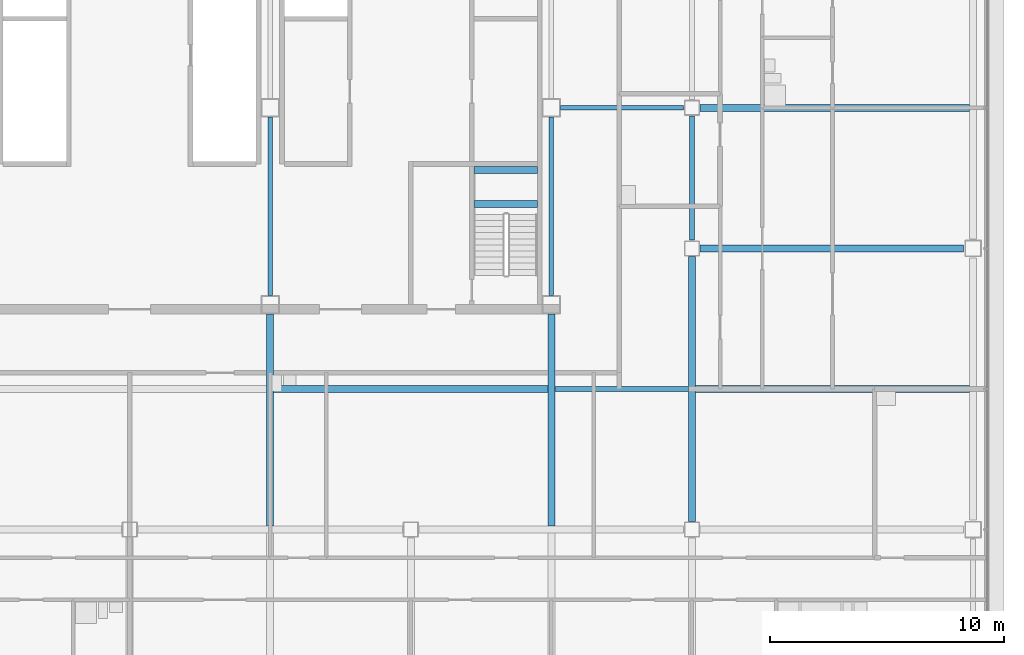
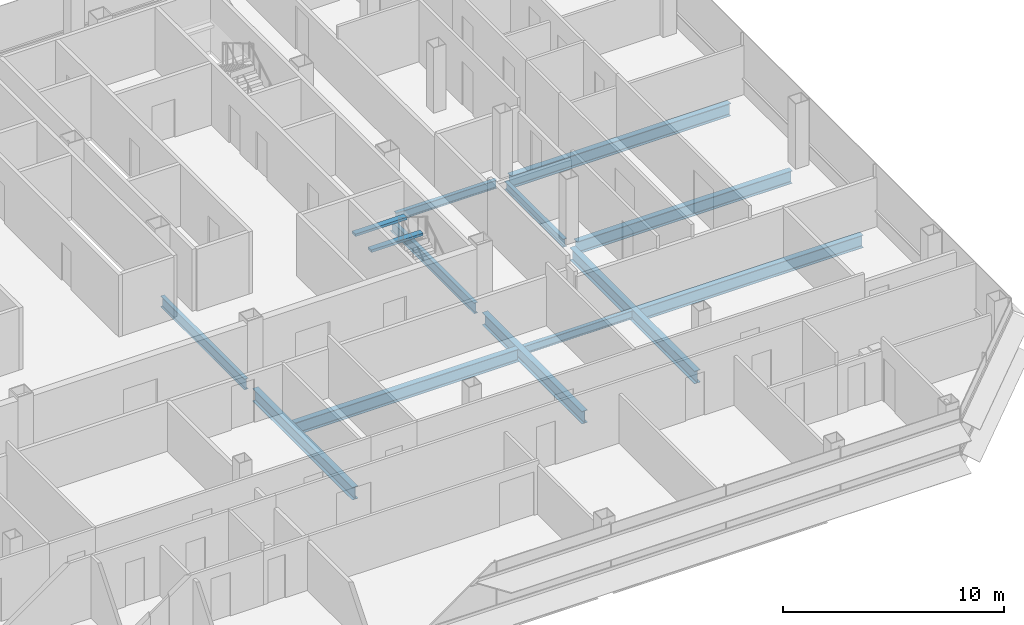
# One storey, part 10 of 26: 14 beams.
"""IFC4 building model written with IfcOpenShell, lengths in metres."""

import ifcopenshell
import ifcopenshell.guid

model = None  # the IFC model being written
_history = None  # IfcOwnerHistory: only IFC2X3 demands one
_inside = {}  # id of a spatial element -> (the spatial element, [elements in it])
_under = {}  # id of a project, library or spatial element -> (it, [spatial elements below it])
_declared = {}  # id of a project -> (the project, [libraries it declares])
_typed = {}  # id of a type object -> (the type object, [elements of that type])
_made_of = {}  # id of a material, layer set ... -> (it, [elements and type objects made of it])


def new_model(schema):
    """Start an empty IFC model of exactly this schema.

    Asked for "IFC4X3", IfcOpenShell would pick the latest addendum, in which some entities
    have other attributes; the version numbers below select the first issue.
    IFC2X3 requires an IfcOwnerHistory on every rooted entity: one is made here for all.
    """
    global model, _history
    if schema == "IFC4X3":
        model = ifcopenshell.file(schema_version=(4, 3, 0, 0))
    else:
        model = ifcopenshell.file(schema=schema)
    _inside.clear()
    _under.clear()
    _declared.clear()
    _typed.clear()
    _made_of.clear()
    _history = None
    if model.schema == "IFC2X3":
        org = make("IfcOrganization", Name="unknown")
        user = make(
            "IfcPersonAndOrganization",
            ThePerson=make("IfcPerson", FamilyName="unknown"),
            TheOrganization=org,
        )
        app = make(
            "IfcApplication",
            ApplicationDeveloper=org,
            Version="unknown",
            ApplicationFullName="unknown",
            ApplicationIdentifier="unknown",
        )
        _history = make(
            "IfcOwnerHistory",
            OwningUser=user,
            OwningApplication=app,
            ChangeAction="ADDED",
            CreationDate=0,
        )
    return model


def make(cls, **values):
    """One entity of the class cls with the attributes given. An attribute that is None is left unset."""
    return model.create_entity(
        cls, **{name: value for name, value in values.items() if value is not None}
    )


def rooted(cls, **values):
    """An entity with a GlobalId (a new one), such as an element, a storey or a relation."""
    return make(cls, GlobalId=ifcopenshell.guid.new(), OwnerHistory=_history, **values)


def si_unit(unit_type, name, prefix=None):
    """IfcSIUnit, for example si_unit("LENGTHUNIT", "METRE", prefix="MILLI")."""
    return make("IfcSIUnit", UnitType=unit_type, Prefix=prefix, Name=name)


def assignment(units):
    """IfcUnitAssignment: the units of a project."""
    return None if units is None else make("IfcUnitAssignment", Units=units)


def point(xyz):
    """IfcCartesianPoint."""
    return None if xyz is None else make("IfcCartesianPoint", Coordinates=xyz)


def direction(xyz):
    """IfcDirection."""
    return None if xyz is None else make("IfcDirection", DirectionRatios=xyz)


def frame(location, z_axis=None, x_axis=None):
    """IfcAxis2Placement3D, a coordinate frame: its origin and axes. An axis left out is left unset."""
    return make(
        "IfcAxis2Placement3D",
        Location=point(location),
        Axis=direction(z_axis),
        RefDirection=direction(x_axis),
    )


def frame_2d(location, x_axis=None):
    """IfcAxis2Placement2D, a coordinate frame in the plane: its origin and x axis."""
    return make(
        "IfcAxis2Placement2D", Location=point(location), RefDirection=direction(x_axis)
    )


def origin():
    """The frame at (0, 0, 0) with its axes left unset."""
    return frame((0.0, 0.0, 0.0))


def origin_2d():
    """The frame at (0, 0) in the plane with its x axis left unset."""
    return frame_2d((0.0, 0.0))


def place(relative_to, where):
    """IfcLocalPlacement: puts the frame where relative to a parent placement (None: the world)."""
    return make(
        "IfcLocalPlacement", PlacementRelTo=relative_to, RelativePlacement=where
    )


def context(
    kind, dimensions, precision=None, world=None, true_north=None, identifier=None
):
    """IfcGeometricRepresentationContext, for example the 3D "Model" context."""
    return make(
        "IfcGeometricRepresentationContext",
        ContextIdentifier=identifier,
        ContextType=kind,
        CoordinateSpaceDimension=dimensions,
        Precision=precision,
        WorldCoordinateSystem=world,
        TrueNorth=true_north,
    )


def subcontext(parent, identifier, kind, view, scale=None):
    """IfcGeometricRepresentationSubContext, for example "Body" below "Model"."""
    return make(
        "IfcGeometricRepresentationSubContext",
        ContextIdentifier=identifier,
        ContextType=kind,
        ParentContext=parent,
        TargetScale=scale,
        TargetView=view,
    )


def project(units=None, contexts=None):
    """IfcProject with its units and contexts."""
    return rooted(
        "IfcProject",
        Name="project",
        RepresentationContexts=contexts,
        UnitsInContext=assignment(units),
    )


def spatial(cls, under=None, at=None, **own):
    """A site, building, storey or space (cls), placed at a placement, below another one or the project."""
    s = rooted(cls, ObjectPlacement=at, **own)
    if under is not None:
        _under.setdefault(under.id(), (under, []))[1].append(s)
    return s


def profile(cls, at=None, kind="AREA", **sizes):
    """A parametric profile (cls). Its sizes go by their IFC names, for example OverallWidth=200.0."""
    return make(cls, ProfileType=kind, Position=at, **sizes)


def rectangle(**sizes):
    """IfcRectangleProfileDef."""
    return profile("IfcRectangleProfileDef", **sizes)


def i_section(**sizes):
    """IfcIShapeProfileDef."""
    return profile("IfcIShapeProfileDef", **sizes)


def extrude(swept, where, along, depth):
    """IfcExtrudedAreaSolid: the profile swept, set in the frame where, extruded along a direction by depth."""
    return make(
        "IfcExtrudedAreaSolid",
        SweptArea=swept,
        Position=where,
        ExtrudedDirection=direction(along),
        Depth=depth,
    )


def shape(context_of_items, identifier, shape_type, items):
    """IfcShapeRepresentation: the items that make up one representation, for example the "Body"."""
    return make(
        "IfcShapeRepresentation",
        ContextOfItems=context_of_items,
        RepresentationIdentifier=identifier,
        RepresentationType=shape_type,
        Items=items,
    )


def material(Name=None, Category=None):
    """IfcMaterial."""
    return make("IfcMaterial", Name=Name, Category=Category)


def material_profile(
    of_material, cross_section, Name=None, Category=None, Priority=None
):
    """IfcMaterialProfile: a cross section and its material."""
    return make(
        "IfcMaterialProfile",
        Name=Name,
        Material=of_material,
        Profile=cross_section,
        Priority=Priority,
        Category=Category,
    )


def profile_set(profiles, Name=None, composite=None):
    """IfcMaterialProfileSet."""
    return make(
        "IfcMaterialProfileSet",
        Name=Name,
        MaterialProfiles=profiles,
        CompositeProfile=composite,
    )


def made_of(thing, what):
    """Note that an element or type object is made of a material, layer set ...; save() writes the relation."""
    if what is not None:
        _made_of.setdefault(what.id(), (what, []))[1].append(thing)
    return thing


def type_object(cls, material=None, **own):
    """A type object (cls), such as IfcWallType, which elements share."""
    return made_of(rooted(cls, **own), material)


def element(
    cls,
    number,
    at=None,
    inside=None,
    cuts=None,
    type_object=None,
    material=None,
    context=None,
    identifier="Body",
    shape_type=None,
    held_by="IfcProductDefinitionShape",
    body=None,
    shapes=None,
    **own,
):
    """One element of the class cls, such as IfcWall. Its Tag is "e" and its number.

    at: its placement. inside: the storey or other place that contains it. cuts: it is an
    opening in that element (IfcRelVoidsElement). A single representation is given by context,
    identifier, shape_type and body (its items); several are given by shapes. held_by: the class
    of the entity that holds the representations. save() writes the other relations.
    """
    e = rooted(cls, Tag="e%d" % number, ObjectPlacement=at, **own)
    if body is not None:
        shapes = [shape(context, identifier, shape_type, body)]
    if shapes is not None:
        e.Representation = make(held_by, Representations=shapes)
    if inside is not None:
        _inside.setdefault(inside.id(), (inside, []))[1].append(e)
    if cuts is not None:
        rooted(
            "IfcRelVoidsElement", RelatingBuildingElement=cuts, RelatedOpeningElement=e
        )
    if type_object is not None:
        _typed.setdefault(type_object.id(), (type_object, []))[1].append(e)
    return made_of(e, material)


def aggregate(whole, parts):
    """IfcRelAggregates: a whole, such as a stair, and the parts it consists of."""
    return rooted("IfcRelAggregates", RelatingObject=whole, RelatedObjects=parts)


def save(model, path):
    """Write the relations noted so far, then the file.

    IfcRelAggregates (storeys below a building ...), IfcRelContainedInSpatialStructure (elements
    in a storey), IfcRelDefinesByType, IfcRelAssociatesMaterial and IfcRelDeclares: one each for
    every whole, place, type object, material and project.
    """
    for whole, parts in _under.values():
        aggregate(whole, parts)
    for where, things in _inside.values():
        rooted(
            "IfcRelContainedInSpatialStructure",
            RelatedElements=things,
            RelatingStructure=where,
        )
    for kind, things in _typed.values():
        rooted("IfcRelDefinesByType", RelatedObjects=things, RelatingType=kind)
    for what, things in _made_of.values():
        rooted("IfcRelAssociatesMaterial", RelatedObjects=things, RelatingMaterial=what)
    for by, libraries in _declared.values():
        rooted("IfcRelDeclares", RelatingContext=by, RelatedDefinitions=libraries)
    model.write(path)


model = new_model("IFC4")

# Units and contexts
model_context = context("Model", 3, precision=1e-05, world=origin(), true_north=direction((0.0, 1.0)))
body_context = subcontext(model_context, "Body", "Model", "MODEL_VIEW")
ifc_project = project(units=[si_unit("LENGTHUNIT", "METRE"), si_unit("AREAUNIT", "SQUARE_METRE"), si_unit("VOLUMEUNIT", "CUBIC_METRE"), si_unit("PLANEANGLEUNIT", "RADIAN"), si_unit("MASSUNIT", "GRAM", prefix="KILO")], contexts=[model_context])

# Site, building, storey
site_placement = place(None, origin())
site = spatial("IfcSite", under=ifc_project, at=site_placement, CompositionType="ELEMENT")
building_placement = place(site_placement, origin())
building = spatial("IfcBuilding", under=site, at=building_placement, Name="Sorahane Residences", CompositionType="ELEMENT")
storey_placement = place(building_placement, frame((0.0, 0.0, 147.39990234375)))
storey = spatial("IfcBuildingStorey", under=building, at=storey_placement, Name="L33", CompositionType="ELEMENT", Elevation=147.39990234375)

# Beams
ifc_material_1 = material(Name="Concrete C40", Category="concrete")
ifc_material_profile_1 = material_profile(ifc_material_1, rectangle(XDim=0.300048828125, YDim=0.139892578125, at=origin_2d()), Name="300x140")
ifc_profile_set_1 = profile_set([ifc_material_profile_1], Name="Concrete C40")
beam_type_1 = type_object("IfcBeamType", Name="RC landing beam 300 x 140 Concrete C40", PredefinedType="BEAM", material=ifc_profile_set_1)
for number, where, z_axis, x_axis, name in (
    (1, (38.699951171875, 25.89990234375, 1.530029296875), (1.0, 0.0, 0.0), (0.0, 1.0, 0.0), "Landing beam"),
    (2, (38.699951171875, 27.35009765625, 1.530029296875), (1.0, 0.0, 0.0), (0.0, 1.0, 0.0), "Landing beam"),
):
    element("IfcBeam", number, at=place(storey_placement, frame(where, z_axis=z_axis, x_axis=x_axis)), inside=storey, type_object=beam_type_1, Name=name, PredefinedType="BEAM", context=body_context, shape_type="SweptSolid", body=[
        extrude(rectangle(XDim=0.300048828125, YDim=0.139892578125, at=origin_2d()), origin(), (0.0, 0.0, 1.0), 2.699951171875),
    ])
ifc_material_2 = material(Name="Steel Q355B", Category="steel")
ifc_material_profile_2 = material_profile(ifc_material_2, i_section(OverallWidth=0.199951171875, OverallDepth=0.449951171875, WebThickness=0.009033203125, FlangeThickness=0.013916015625, FilletRadius=0.02001953125, at=origin_2d()), Name="HN 450x200x9x14")
ifc_profile_set_2 = profile_set([ifc_material_profile_2], Name="Steel Q355B")
beam_type_2 = type_object("IfcBeamType", Name="Steel floor beam HN 450x200x9x14 Q355B", PredefinedType="BEAM", material=ifc_profile_set_2)
beam_1_placement = place(storey_placement, frame((48.0, 24.35009765625, -0.40478515625), z_axis=(0.0, 1.0, 0.0), x_axis=(-1.0, 0.0, 0.0)))
element("IfcBeam", 3, at=beam_1_placement, inside=storey, type_object=beam_type_2, Name="Beam L33 060", PredefinedType="BEAM", context=body_context, shape_type="SweptSolid", body=[
    extrude(i_section(OverallWidth=0.199951171875, OverallDepth=0.449951171875, WebThickness=0.009033203125, FlangeThickness=0.013916015625, FilletRadius=0.02001953125, at=origin_2d()), origin(), (0.0, 0.0, 1.0), 5.2998046875),
])
beam_2_placement = place(storey_placement, frame((42.14990234375, 18.0, -0.40478515625), z_axis=(1.0, 0.0, 0.0), x_axis=(0.0, 1.0, 0.0)))
element("IfcBeam", 4, at=beam_2_placement, inside=storey, type_object=beam_type_2, Name="Beam L33 083", PredefinedType="BEAM", context=body_context, shape_type="SweptSolid", body=[
    extrude(i_section(OverallWidth=0.199951171875, OverallDepth=0.449951171875, WebThickness=0.009033203125, FlangeThickness=0.013916015625, FilletRadius=0.02001953125, at=origin_2d()), origin(), (0.0, 0.0, 1.0), 5.7001953125),
])
beam_3_placement = place(storey_placement, frame((42.39990234375, 30.0, -0.40478515625), z_axis=(1.0, 0.0, 0.0), x_axis=(0.0, 1.0, 0.0)))
element("IfcBeam", 5, at=beam_3_placement, inside=storey, type_object=beam_type_2, Name="Beam L33 087", PredefinedType="BEAM", context=body_context, shape_type="SweptSolid", body=[
    extrude(i_section(OverallWidth=0.199951171875, OverallDepth=0.449951171875, WebThickness=0.009033203125, FlangeThickness=0.013916015625, FilletRadius=0.02001953125, at=origin_2d()), origin(), (0.0, 0.0, 1.0), 5.25),
])
ifc_material_3 = material(Name="Steel Q355B", Category="steel")
ifc_material_profile_3 = material_profile(ifc_material_3, i_section(OverallWidth=0.199951171875, OverallDepth=0.60009765625, WebThickness=0.010986328125, FlangeThickness=0.01708984375, FilletRadius=0.02392578125, at=origin_2d()), Name="HN 600x200x11x17")
ifc_profile_set_3 = profile_set([ifc_material_profile_3], Name="Steel Q355B")
beam_type_3 = type_object("IfcBeamType", Name="Steel floor beam HN 600x200x11x17 Q355B", PredefinedType="BEAM", material=ifc_profile_set_3)
for number, where, z_axis, x_axis, name in (
    (6, (30.0, 22.0, -0.47998046875), (0.0, 1.0, 0.0), (-1.0, 0.0, 0.0), "Beam L33 046"),
    (7, (42.0, 22.0, -0.47998046875), (0.0, 1.0, 0.0), (-1.0, 0.0, 0.0), "Beam L33 054"),
):
    element("IfcBeam", number, at=place(storey_placement, frame(where, z_axis=z_axis, x_axis=x_axis)), inside=storey, type_object=beam_type_3, Name=name, PredefinedType="BEAM", context=body_context, shape_type="SweptSolid", body=[
        extrude(i_section(OverallWidth=0.199951171875, OverallDepth=0.60009765625, WebThickness=0.010986328125, FlangeThickness=0.01708984375, FilletRadius=0.02392578125, at=origin_2d()), origin(), (0.0, 0.0, 1.0), 7.60009765625),
    ])
ifc_material_4 = material(Name="Steel Q355B", Category="steel")
ifc_material_profile_4 = material_profile(ifc_material_4, i_section(OverallWidth=0.300048828125, OverallDepth=0.699951171875, WebThickness=0.012939453125, FlangeThickness=0.02392578125, FilletRadius=0.028076171875, at=origin_2d()), Name="HN 700x300x13x24")
ifc_profile_set_4 = profile_set([ifc_material_profile_4], Name="Steel Q355B")
beam_type_4 = type_object("IfcBeamType", Name="Steel floor beam HN 700x300x13x24 Q355B", PredefinedType="BEAM", material=ifc_profile_set_4)
beam_4_placement = place(storey_placement, frame((48.35009765625, 24.0, -0.52978515625), z_axis=(1.0, 0.0, 0.0), x_axis=(0.0, 1.0, 0.0)))
element("IfcBeam", 8, at=beam_4_placement, inside=storey, type_object=beam_type_4, Name="Beam L33 012", PredefinedType="BEAM", context=body_context, shape_type="SweptSolid", body=[
    extrude(i_section(OverallWidth=0.300048828125, OverallDepth=0.699951171875, WebThickness=0.012939453125, FlangeThickness=0.02392578125, FilletRadius=0.028076171875, at=origin_2d()), origin(), (0.0, 0.0, 1.0), 11.25),
])
for number, where, z_axis, x_axis, name in (
    (9, (30.0, 12.14990234375, -0.52978515625), (0.0, 1.0, 0.0), (-1.0, 0.0, 0.0), "Beam L33 045"),
    (10, (42.0, 12.14990234375, -0.52978515625), (0.0, 1.0, 0.0), (-1.0, 0.0, 0.0), "Beam L33 053"),
):
    element("IfcBeam", number, at=place(storey_placement, frame(where, z_axis=z_axis, x_axis=x_axis)), inside=storey, type_object=beam_type_4, Name=name, PredefinedType="BEAM", context=body_context, shape_type="SweptSolid", body=[
        extrude(i_section(OverallWidth=0.300048828125, OverallDepth=0.699951171875, WebThickness=0.012939453125, FlangeThickness=0.02392578125, FilletRadius=0.028076171875, at=origin_2d()), origin(), (0.0, 0.0, 1.0), 9.050048828125),
    ])
beam_5_placement = place(storey_placement, frame((48.0, 12.35009765625, -0.52978515625), z_axis=(0.0, 1.0, 0.0), x_axis=(-1.0, 0.0, 0.0)))
element("IfcBeam", 11, at=beam_5_placement, inside=storey, type_object=beam_type_4, Name="Beam L33 059", PredefinedType="BEAM", context=body_context, shape_type="SweptSolid", body=[
    extrude(i_section(OverallWidth=0.300048828125, OverallDepth=0.699951171875, WebThickness=0.012939453125, FlangeThickness=0.02392578125, FilletRadius=0.028076171875, at=origin_2d()), origin(), (0.0, 0.0, 1.0), 11.2998046875),
])
for number, where, z_axis, x_axis, name in (
    (12, (30.14990234375, 18.0, -0.52978515625), (1.0, 0.0, 0.0), (0.0, 1.0, 0.0), "Beam L33 082"),
    (13, (48.14990234375, 18.0, -0.52978515625), (1.0, 0.0, 0.0), (0.0, 1.0, 0.0), "Beam L33 084"),
):
    element("IfcBeam", number, at=place(storey_placement, frame(where, z_axis=z_axis, x_axis=x_axis)), inside=storey, type_object=beam_type_4, Name=name, PredefinedType="BEAM", context=body_context, shape_type="SweptSolid", body=[
        extrude(i_section(OverallWidth=0.300048828125, OverallDepth=0.699951171875, WebThickness=0.012939453125, FlangeThickness=0.02392578125, FilletRadius=0.028076171875, at=origin_2d()), origin(), (0.0, 0.0, 1.0), 11.7001953125),
    ])
beam_6_placement = place(storey_placement, frame((48.35009765625, 30.0, -0.52978515625), z_axis=(1.0, 0.0, 0.0), x_axis=(0.0, 1.0, 0.0)))
element("IfcBeam", 14, at=beam_6_placement, inside=storey, type_object=beam_type_4, Name="Beam L33 088", PredefinedType="BEAM", context=body_context, shape_type="SweptSolid", body=[
    extrude(i_section(OverallWidth=0.300048828125, OverallDepth=0.699951171875, WebThickness=0.012939453125, FlangeThickness=0.02392578125, FilletRadius=0.028076171875, at=origin_2d()), origin(), (0.0, 0.0, 1.0), 11.5),
])

save(model, "model.ifc")
